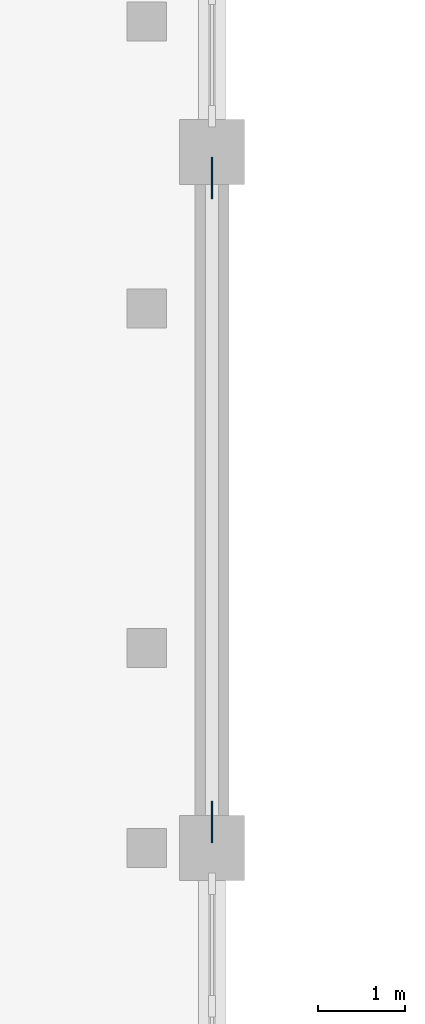
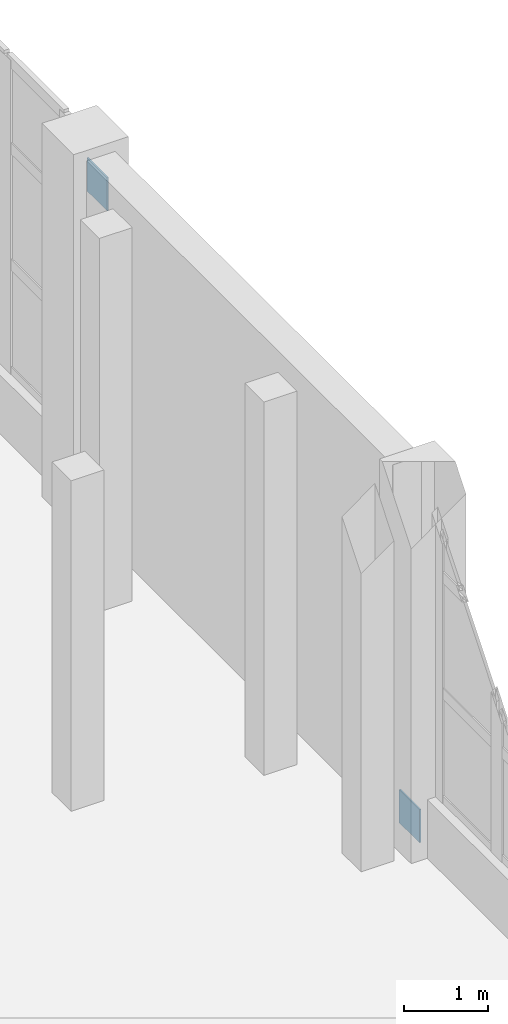
# One storey, part 67 of 103: 2 plates.
"""IFC4 building model written with IfcOpenShell, lengths in metres."""

from ifc_helpers import new_model, si_unit, direction, frame, origin, origin_2d, place, context, subcontext, project, spatial, rectangle, extrude, material, layer, layer_set, type_object, element, save


model = new_model("IFC4")

# Units and contexts
model_context = context("Model", 3, precision=1e-05, world=origin(), true_north=direction((0.0, 1.0)))
body_context = subcontext(model_context, "Body", "Model", "MODEL_VIEW")
ifc_project = project(units=[si_unit("LENGTHUNIT", "METRE"), si_unit("AREAUNIT", "SQUARE_METRE"), si_unit("VOLUMEUNIT", "CUBIC_METRE"), si_unit("PLANEANGLEUNIT", "RADIAN"), si_unit("MASSUNIT", "GRAM", prefix="KILO")], contexts=[model_context])

# Site, building, storey
site_placement = place(None, origin())
site = spatial("IfcSite", under=ifc_project, at=site_placement, CompositionType="ELEMENT")
building_placement = place(site_placement, origin())
building = spatial("IfcBuilding", under=site, at=building_placement, Name="Drelvana Railside Aquatics Centre", CompositionType="ELEMENT")
storey_placement = place(building_placement, origin())
storey = spatial("IfcBuildingStorey", under=building, at=storey_placement, Name="L00", CompositionType="ELEMENT", Elevation=0.0)

# Plates
ifc_material = material(Name="Structural steel S355", Category="steel")
ifc_layer = layer(ifc_material, 0.02197265625, Name="Structural steel S355")
ifc_layer_set = layer_set([ifc_layer], Name="Structural steel S355")
plate_type = type_object("IfcPlateType", Name="STR-PLT-PL-04", PredefinedType="SHEET", material=ifc_layer_set)
for number, where, z_axis, x_axis, name in (
    (1, (72.0, 92.300048828125, -0.090087890625), (0.0, 0.0, 1.0), (1.0, 0.0, 0.0), "Brace gusset end plate PL-04 (L00)"),
    (2, (72.0, 99.699951171875, 4.56005859375), (0.0, 0.0, 1.0), (1.0, 0.0, 0.0), "Brace gusset end plate PL-04 (L00)"),
):
    element("IfcPlate", number, at=place(storey_placement, frame(where, z_axis=z_axis, x_axis=x_axis)), inside=storey, type_object=plate_type, Name=name, PredefinedType="SHEET", context=body_context, shape_type="SweptSolid", body=[
        extrude(rectangle(XDim=0.02197265625, YDim=0.47998046875, at=origin_2d()), origin(), (0.0, 0.0, 1.0), 0.47998046875),
    ])

save(model, "model.ifc")
